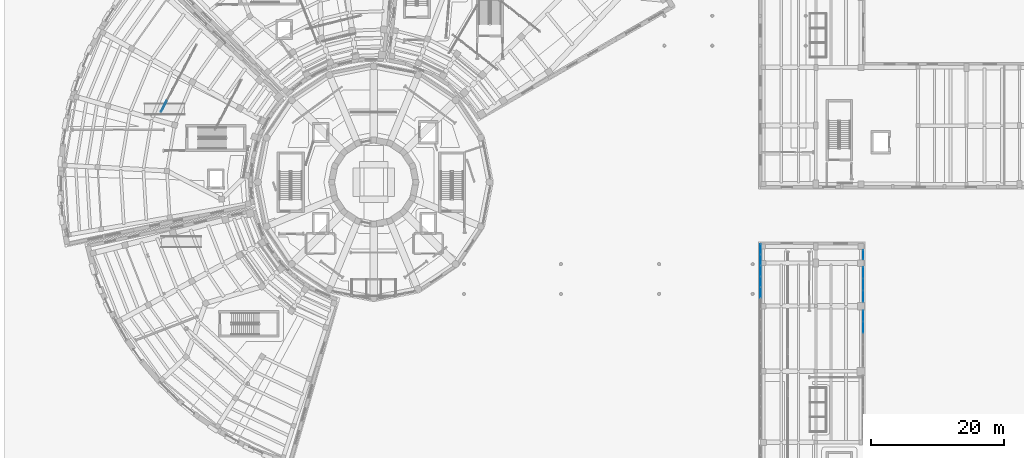
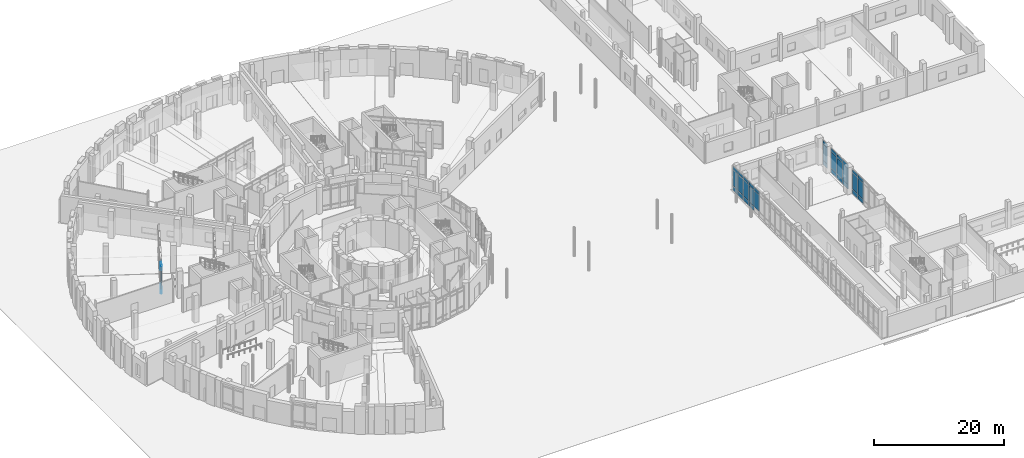
# One storey, part 36 of 74: 35 plates, 5 elements without a shape of their own.
"""IFC4 building model written with IfcOpenShell, lengths in metres."""

from ifc_helpers import new_model, si_unit, direction, frame, origin, origin_2d, place, context, subcontext, project, spatial, rectangle, extrude, material, layer, layer_set, type_object, element, aggregate, save


model = new_model("IFC4")

# Units and contexts
model_context = context("Model", 3, precision=1e-05, world=origin(), true_north=direction((0.0, 1.0)))
body_context = subcontext(model_context, "Body", "Model", "MODEL_VIEW")
ifc_project = project(units=[si_unit("LENGTHUNIT", "METRE"), si_unit("AREAUNIT", "SQUARE_METRE"), si_unit("VOLUMEUNIT", "CUBIC_METRE"), si_unit("PLANEANGLEUNIT", "RADIAN"), si_unit("MASSUNIT", "GRAM", prefix="KILO")], contexts=[model_context])

# Site, building, storey
site_placement = place(None, origin())
site = spatial("IfcSite", under=ifc_project, at=site_placement, CompositionType="ELEMENT")
building_placement = place(site_placement, origin())
building = spatial("IfcBuilding", under=site, at=building_placement, Name="Soyqirgoq Riverine Aquarium", CompositionType="ELEMENT")
storey_placement = place(building_placement, origin())
storey = spatial("IfcBuildingStorey", under=building, at=storey_placement, Name="L01", CompositionType="ELEMENT", Elevation=0.0)

# Curtain wall, plates
ifc_material_1 = material(Name="Cast polymethyl methacrylate PMMA Habitat Viewing Glazing", Category="glass")
curtain_wall_type_1 = type_object("IfcCurtainWallType", Name="CW_Interior_TankVitrine", PredefinedType="NOTDEFINED", material=ifc_material_1)
curtain_wall_1_placement = place(storey_placement, origin())
curtain_wall_1 = element("IfcCurtainWall", 1, at=curtain_wall_1_placement, inside=storey, type_object=curtain_wall_type_1, Name="V3 L01 Curtain Wall 148", PredefinedType="NOTDEFINED")
ifc_material_2 = material(Name="Cast polymethyl methacrylate PMMA", Category="glass")
ifc_layer_1 = layer(ifc_material_2, 0.1201171875)
ifc_layer_set_1 = layer_set([ifc_layer_1], Name="Cast polymethyl methacrylate PMMA")
plate_type_1 = type_object("IfcPlateType", Name="CWAcrylicPanel_120", PredefinedType="CURTAIN_PANEL", material=ifc_layer_set_1)
plate_1_placement = place(storey_placement, frame((24.362060546875, 68.399658203125, 0.074951171875), z_axis=(0.0, 0.0, 1.0), x_axis=(-0.46947455655, -0.88294600104, 0.0)))
plate_1 = element("IfcPlate", 2, at=plate_1_placement, type_object=plate_type_1, Name="CW-07 panel 6.1", PredefinedType="CURTAIN_PANEL", context=body_context, shape_type="SweptSolid", body=[
    extrude(rectangle(XDim=1.80322265625, YDim=0.1201171875, at=origin_2d()), origin(), (0.0, 0.0, 1.0), 0.78759765625),
])
plate_2_placement = place(storey_placement, frame((24.362060546875, 68.399658203125, 0.9375), z_axis=(0.0, 0.0, 1.0), x_axis=(-0.46947455655, -0.88294600104, 0.0)))
plate_2 = element("IfcPlate", 3, at=plate_2_placement, type_object=plate_type_1, Name="CW-07 panel 6.2", PredefinedType="CURTAIN_PANEL", context=body_context, shape_type="SweptSolid", body=[
    extrude(rectangle(XDim=1.80322265625, YDim=0.1201171875, at=origin_2d()), origin(), (0.0, 0.0, 1.0), 3.425048828125),
])
plate_3_placement = place(storey_placement, frame((24.362060546875, 68.399658203125, 4.4375), z_axis=(0.0, 0.0, 1.0), x_axis=(-0.46947455655, -0.88294600104, 0.0)))
plate_3 = element("IfcPlate", 4, at=plate_3_placement, type_object=plate_type_1, Name="CW-07 panel 6.3", PredefinedType="CURTAIN_PANEL", context=body_context, shape_type="SweptSolid", body=[
    extrude(rectangle(XDim=1.80322265625, YDim=0.1201171875, at=origin_2d()), origin(), (0.0, 0.0, 1.0), 0.58740234375),
])
aggregate(curtain_wall_1, [plate_1, plate_2, plate_3])

ifc_material_3 = material(Name="Structural silicone glazed entrance curtain wall", Category="aluminium")
curtain_wall_type_2 = type_object("IfcCurtainWallType", Name="CW_Portal_Entrance", PredefinedType="NOTDEFINED", material=ifc_material_3)
curtain_wall_2_placement = place(storey_placement, origin())
curtain_wall_2 = element("IfcCurtainWall", 5, at=curtain_wall_2_placement, inside=storey, type_object=curtain_wall_type_2, Name="V6 L01 Curtain Wall 106", PredefinedType="NOTDEFINED")
ifc_material_4 = material(Name="Triple insulated laminated low-E glass", Category="glass")
ifc_layer_2 = layer(ifc_material_4, 0.0458984375)
ifc_layer_set_2 = layer_set([ifc_layer_2], Name="Triple insulated laminated low-E glass")
plate_type_2 = type_object("IfcPlateType", Name="CWGlazedPanel_46", PredefinedType="CURTAIN_PANEL", material=ifc_layer_set_2)
plate_4_placement = place(storey_placement, frame((114.25, 40.35009765625, 0.9375), z_axis=(0.0, 0.0, 1.0), x_axis=(0.0, 1.0, 0.0)))
plate_4 = element("IfcPlate", 6, at=plate_4_placement, type_object=plate_type_2, Name="CW-04 panel 14.2", PredefinedType="CURTAIN_PANEL", context=body_context, shape_type="SweptSolid", body=[
    extrude(rectangle(XDim=1.5556640625, YDim=0.0458984375, at=origin_2d()), origin(), (0.0, 0.0, 1.0), 3.02490234375),
])
plate_5_placement = place(storey_placement, frame((114.25, 40.35009765625, 4.03759765625), z_axis=(0.0, 0.0, 1.0), x_axis=(0.0, 1.0, 0.0)))
plate_5 = element("IfcPlate", 7, at=plate_5_placement, type_object=plate_type_2, Name="CW-04 panel 14.3", PredefinedType="CURTAIN_PANEL", context=body_context, shape_type="SweptSolid", body=[
    extrude(rectangle(XDim=1.5556640625, YDim=0.0458984375, at=origin_2d()), origin(), (0.0, 0.0, 1.0), 0.58740234375),
])
plate_6_placement = place(storey_placement, frame((114.25, 41.985595703125, 0.074951171875), z_axis=(0.0, 0.0, 1.0), x_axis=(0.0, 1.0, 0.0)))
plate_6 = element("IfcPlate", 8, at=plate_6_placement, type_object=plate_type_2, Name="CW-04 panel 15.1", PredefinedType="CURTAIN_PANEL", context=body_context, shape_type="SweptSolid", body=[
    extrude(rectangle(XDim=1.5556640625, YDim=0.0458984375, at=origin_2d()), origin(), (0.0, 0.0, 1.0), 0.78759765625),
])
plate_7_placement = place(storey_placement, frame((114.25, 41.985595703125, 0.9375), z_axis=(0.0, 0.0, 1.0), x_axis=(0.0, 1.0, 0.0)))
plate_7 = element("IfcPlate", 9, at=plate_7_placement, type_object=plate_type_2, Name="CW-04 panel 15.2", PredefinedType="CURTAIN_PANEL", context=body_context, shape_type="SweptSolid", body=[
    extrude(rectangle(XDim=1.5556640625, YDim=0.0458984375, at=origin_2d()), origin(), (0.0, 0.0, 1.0), 3.02490234375),
])
plate_8_placement = place(storey_placement, frame((114.25, 41.985595703125, 4.03759765625), z_axis=(0.0, 0.0, 1.0), x_axis=(0.0, 1.0, 0.0)))
plate_8 = element("IfcPlate", 10, at=plate_8_placement, type_object=plate_type_2, Name="CW-04 panel 15.3", PredefinedType="CURTAIN_PANEL", context=body_context, shape_type="SweptSolid", body=[
    extrude(rectangle(XDim=1.5556640625, YDim=0.0458984375, at=origin_2d()), origin(), (0.0, 0.0, 1.0), 0.58740234375),
])
plate_9_placement = place(storey_placement, frame((114.25, 43.62109375, 0.074951171875), z_axis=(0.0, 0.0, 1.0), x_axis=(0.0, 1.0, 0.0)))
plate_9 = element("IfcPlate", 11, at=plate_9_placement, type_object=plate_type_2, Name="CW-04 panel 16.1", PredefinedType="CURTAIN_PANEL", context=body_context, shape_type="SweptSolid", body=[
    extrude(rectangle(XDim=1.5556640625, YDim=0.0458984375, at=origin_2d()), origin(), (0.0, 0.0, 1.0), 0.78759765625),
])
plate_10_placement = place(storey_placement, frame((114.25, 43.62109375, 0.9375), z_axis=(0.0, 0.0, 1.0), x_axis=(0.0, 1.0, 0.0)))
plate_10 = element("IfcPlate", 12, at=plate_10_placement, type_object=plate_type_2, Name="CW-04 panel 16.2", PredefinedType="CURTAIN_PANEL", context=body_context, shape_type="SweptSolid", body=[
    extrude(rectangle(XDim=1.5556640625, YDim=0.0458984375, at=origin_2d()), origin(), (0.0, 0.0, 1.0), 3.02490234375),
])
plate_11_placement = place(storey_placement, frame((114.25, 43.62109375, 4.03759765625), z_axis=(0.0, 0.0, 1.0), x_axis=(0.0, 1.0, 0.0)))
plate_11 = element("IfcPlate", 13, at=plate_11_placement, type_object=plate_type_2, Name="CW-04 panel 16.3", PredefinedType="CURTAIN_PANEL", context=body_context, shape_type="SweptSolid", body=[
    extrude(rectangle(XDim=1.5556640625, YDim=0.0458984375, at=origin_2d()), origin(), (0.0, 0.0, 1.0), 0.58740234375),
])
plate_12_placement = place(storey_placement, frame((114.25, 45.256591796875, 0.074951171875), z_axis=(0.0, 0.0, 1.0), x_axis=(0.0, 1.0, 0.0)))
plate_12 = element("IfcPlate", 14, at=plate_12_placement, type_object=plate_type_2, Name="CW-04 panel 17.1", PredefinedType="CURTAIN_PANEL", context=body_context, shape_type="SweptSolid", body=[
    extrude(rectangle(XDim=1.5556640625, YDim=0.0458984375, at=origin_2d()), origin(), (0.0, 0.0, 1.0), 0.78759765625),
])
plate_13_placement = place(storey_placement, frame((114.25, 45.256591796875, 0.9375), z_axis=(0.0, 0.0, 1.0), x_axis=(0.0, 1.0, 0.0)))
plate_13 = element("IfcPlate", 15, at=plate_13_placement, type_object=plate_type_2, Name="CW-04 panel 17.2", PredefinedType="CURTAIN_PANEL", context=body_context, shape_type="SweptSolid", body=[
    extrude(rectangle(XDim=1.5556640625, YDim=0.0458984375, at=origin_2d()), origin(), (0.0, 0.0, 1.0), 3.02490234375),
])
plate_14_placement = place(storey_placement, frame((114.25, 45.256591796875, 4.03759765625), z_axis=(0.0, 0.0, 1.0), x_axis=(0.0, 1.0, 0.0)))
plate_14 = element("IfcPlate", 16, at=plate_14_placement, type_object=plate_type_2, Name="CW-04 panel 17.3", PredefinedType="CURTAIN_PANEL", context=body_context, shape_type="SweptSolid", body=[
    extrude(rectangle(XDim=1.5556640625, YDim=0.0458984375, at=origin_2d()), origin(), (0.0, 0.0, 1.0), 0.58740234375),
])
plate_15_placement = place(storey_placement, frame((114.25, 46.872314453125, 0.074951171875), z_axis=(0.0, 0.0, 1.0), x_axis=(0.0, 1.0, 0.0)))
plate_15 = element("IfcPlate", 17, at=plate_15_placement, type_object=plate_type_2, Name="CW-04 panel 18.1", PredefinedType="CURTAIN_PANEL", context=body_context, shape_type="SweptSolid", body=[
    extrude(rectangle(XDim=1.515625, YDim=0.0458984375, at=origin_2d()), origin(), (0.0, 0.0, 1.0), 0.78759765625),
])
plate_16_placement = place(storey_placement, frame((114.25, 46.872314453125, 0.9375), z_axis=(0.0, 0.0, 1.0), x_axis=(0.0, 1.0, 0.0)))
plate_16 = element("IfcPlate", 18, at=plate_16_placement, type_object=plate_type_2, Name="CW-04 panel 18.2", PredefinedType="CURTAIN_PANEL", context=body_context, shape_type="SweptSolid", body=[
    extrude(rectangle(XDim=1.515625, YDim=0.0458984375, at=origin_2d()), origin(), (0.0, 0.0, 1.0), 3.02490234375),
])
plate_17_placement = place(storey_placement, frame((114.25, 46.872314453125, 4.03759765625), z_axis=(0.0, 0.0, 1.0), x_axis=(0.0, 1.0, 0.0)))
plate_17 = element("IfcPlate", 19, at=plate_17_placement, type_object=plate_type_2, Name="CW-04 panel 18.3", PredefinedType="CURTAIN_PANEL", context=body_context, shape_type="SweptSolid", body=[
    extrude(rectangle(XDim=1.515625, YDim=0.0458984375, at=origin_2d()), origin(), (0.0, 0.0, 1.0), 0.58740234375),
])
aggregate(curtain_wall_2, [plate_4, plate_5, plate_6, plate_7, plate_8, plate_9, plate_10, plate_11, plate_12, plate_13, plate_14, plate_15, plate_16, plate_17])

curtain_wall_3_placement = place(storey_placement, origin())
curtain_wall_3 = element("IfcCurtainWall", 20, at=curtain_wall_3_placement, inside=storey, type_object=curtain_wall_type_2, Name="V6 L01 Curtain Wall 107", PredefinedType="NOTDEFINED")
plate_18_placement = place(storey_placement, frame((129.75, 46.0625, 0.074951171875), z_axis=(0.0, 0.0, 1.0), x_axis=(0.0, -1.0, 0.0)))
plate_18 = element("IfcPlate", 21, at=plate_18_placement, type_object=plate_type_2, Name="CW-04 panel 1.1", PredefinedType="CURTAIN_PANEL", context=body_context, shape_type="SweptSolid", body=[
    extrude(rectangle(XDim=1.324951171875, YDim=0.0458984375, at=origin_2d()), origin(), (0.0, 0.0, 1.0), 0.78759765625),
])
plate_19_placement = place(storey_placement, frame((129.75, 46.0625, 0.9375), z_axis=(0.0, 0.0, 1.0), x_axis=(0.0, -1.0, 0.0)))
plate_19 = element("IfcPlate", 22, at=plate_19_placement, type_object=plate_type_2, Name="CW-04 panel 1.2", PredefinedType="CURTAIN_PANEL", context=body_context, shape_type="SweptSolid", body=[
    extrude(rectangle(XDim=1.324951171875, YDim=0.0458984375, at=origin_2d()), origin(), (0.0, 0.0, 1.0), 3.02490234375),
])
plate_20_placement = place(storey_placement, frame((129.75, 46.0625, 4.03759765625), z_axis=(0.0, 0.0, 1.0), x_axis=(0.0, -1.0, 0.0)))
plate_20 = element("IfcPlate", 23, at=plate_20_placement, type_object=plate_type_2, Name="CW-04 panel 1.3", PredefinedType="CURTAIN_PANEL", context=body_context, shape_type="SweptSolid", body=[
    extrude(rectangle(XDim=1.324951171875, YDim=0.0458984375, at=origin_2d()), origin(), (0.0, 0.0, 1.0), 0.58740234375),
])
aggregate(curtain_wall_3, [plate_18, plate_19, plate_20])

curtain_wall_4_placement = place(storey_placement, origin())
curtain_wall_4 = element("IfcCurtainWall", 24, at=curtain_wall_4_placement, inside=storey, type_object=curtain_wall_type_2, Name="V6 L01 Curtain Wall 109", PredefinedType="NOTDEFINED")
plate_21_placement = place(storey_placement, frame((129.75, 36.84912109375, 0.074951171875), z_axis=(0.0, 0.0, 1.0), x_axis=(0.0, -1.0, 0.0)))
plate_21 = element("IfcPlate", 25, at=plate_21_placement, type_object=plate_type_2, Name="CW-04 panel 1.1", PredefinedType="CURTAIN_PANEL", context=body_context, shape_type="SweptSolid", body=[
    extrude(rectangle(XDim=1.60205078125, YDim=0.0458984375, at=origin_2d()), origin(), (0.0, 0.0, 1.0), 0.78759765625),
])
plate_22_placement = place(storey_placement, frame((129.75, 36.84912109375, 0.9375), z_axis=(0.0, 0.0, 1.0), x_axis=(0.0, -1.0, 0.0)))
plate_22 = element("IfcPlate", 26, at=plate_22_placement, type_object=plate_type_2, Name="CW-04 panel 1.2", PredefinedType="CURTAIN_PANEL", context=body_context, shape_type="SweptSolid", body=[
    extrude(rectangle(XDim=1.60205078125, YDim=0.0458984375, at=origin_2d()), origin(), (0.0, 0.0, 1.0), 3.02490234375),
])
plate_23_placement = place(storey_placement, frame((129.75, 36.84912109375, 4.03759765625), z_axis=(0.0, 0.0, 1.0), x_axis=(0.0, -1.0, 0.0)))
plate_23 = element("IfcPlate", 27, at=plate_23_placement, type_object=plate_type_2, Name="CW-04 panel 1.3", PredefinedType="CURTAIN_PANEL", context=body_context, shape_type="SweptSolid", body=[
    extrude(rectangle(XDim=1.60205078125, YDim=0.0458984375, at=origin_2d()), origin(), (0.0, 0.0, 1.0), 0.58740234375),
])
plate_24_placement = place(storey_placement, frame((129.75, 35.14697265625, 0.074951171875), z_axis=(0.0, 0.0, 1.0), x_axis=(0.0, -1.0, 0.0)))
plate_24 = element("IfcPlate", 28, at=plate_24_placement, type_object=plate_type_2, Name="CW-04 panel 2.1", PredefinedType="CURTAIN_PANEL", context=body_context, shape_type="SweptSolid", body=[
    extrude(rectangle(XDim=1.64208984375, YDim=0.0458984375, at=origin_2d()), origin(), (0.0, 0.0, 1.0), 0.78759765625),
])
plate_25_placement = place(storey_placement, frame((129.75, 35.14697265625, 0.9375), z_axis=(0.0, 0.0, 1.0), x_axis=(0.0, -1.0, 0.0)))
plate_25 = element("IfcPlate", 29, at=plate_25_placement, type_object=plate_type_2, Name="CW-04 panel 2.2", PredefinedType="CURTAIN_PANEL", context=body_context, shape_type="SweptSolid", body=[
    extrude(rectangle(XDim=1.64208984375, YDim=0.0458984375, at=origin_2d()), origin(), (0.0, 0.0, 1.0), 3.02490234375),
])
plate_26_placement = place(storey_placement, frame((129.75, 35.14697265625, 4.03759765625), z_axis=(0.0, 0.0, 1.0), x_axis=(0.0, -1.0, 0.0)))
plate_26 = element("IfcPlate", 30, at=plate_26_placement, type_object=plate_type_2, Name="CW-04 panel 2.3", PredefinedType="CURTAIN_PANEL", context=body_context, shape_type="SweptSolid", body=[
    extrude(rectangle(XDim=1.64208984375, YDim=0.0458984375, at=origin_2d()), origin(), (0.0, 0.0, 1.0), 0.58740234375),
])
aggregate(curtain_wall_4, [plate_21, plate_22, plate_23, plate_24, plate_25, plate_26])

curtain_wall_5_placement = place(storey_placement, origin())
curtain_wall_5 = element("IfcCurtainWall", 31, at=curtain_wall_5_placement, inside=storey, type_object=curtain_wall_type_2, Name="V6 L01 Curtain Wall 108", PredefinedType="NOTDEFINED")
ifc_material_5 = material(Name="Insulated shadow-box aluminium spandrel panel", Category="aluminium")
ifc_layer_3 = layer(ifc_material_5, 0.06005859375)
ifc_layer_set_3 = layer_set([ifc_layer_3], Name="Insulated shadow-box aluminium spandrel panel")
plate_type_3 = type_object("IfcPlateType", Name="CWSpandrelPanel_60", PredefinedType="CURTAIN_PANEL", material=ifc_layer_set_3)
plate_27_placement = place(storey_placement, frame((129.75, 43.3583984375, 0.074951171875), z_axis=(0.0, 0.0, 1.0), x_axis=(0.0, -1.0, 0.0)))
plate_27 = element("IfcPlate", 32, at=plate_27_placement, type_object=plate_type_3, Name="CW-04 panel 1.1", PredefinedType="CURTAIN_PANEL", context=body_context, shape_type="SweptSolid", body=[
    extrude(rectangle(XDim=1.683349609375, YDim=0.06005859375, at=origin_2d()), origin(), (0.0, 0.0, 1.0), 0.78759765625),
])
plate_28_placement = place(storey_placement, frame((129.75, 43.3583984375, 0.9375), z_axis=(0.0, 0.0, 1.0), x_axis=(0.0, -1.0, 0.0)))
plate_28 = element("IfcPlate", 33, at=plate_28_placement, type_object=plate_type_3, Name="CW-04 panel 1.2", PredefinedType="CURTAIN_PANEL", context=body_context, shape_type="SweptSolid", body=[
    extrude(rectangle(XDim=1.683349609375, YDim=0.06005859375, at=origin_2d()), origin(), (0.0, 0.0, 1.0), 3.02490234375),
])
plate_29_placement = place(storey_placement, frame((129.75, 43.3583984375, 4.03759765625), z_axis=(0.0, 0.0, 1.0), x_axis=(0.0, -1.0, 0.0)))
plate_29 = element("IfcPlate", 34, at=plate_29_placement, type_object=plate_type_3, Name="CW-04 panel 1.3", PredefinedType="CURTAIN_PANEL", context=body_context, shape_type="SweptSolid", body=[
    extrude(rectangle(XDim=1.683349609375, YDim=0.06005859375, at=origin_2d()), origin(), (0.0, 0.0, 1.0), 0.58740234375),
])
plate_30_placement = place(storey_placement, frame((129.75, 41.574951171875, 0.074951171875), z_axis=(0.0, 0.0, 1.0), x_axis=(0.0, -1.0, 0.0)))
plate_30 = element("IfcPlate", 35, at=plate_30_placement, type_object=plate_type_3, Name="CW-04 panel 2.1", PredefinedType="CURTAIN_PANEL", context=body_context, shape_type="SweptSolid", body=[
    extrude(rectangle(XDim=1.723388671875, YDim=0.06005859375, at=origin_2d()), origin(), (0.0, 0.0, 1.0), 0.78759765625),
])
plate_31_placement = place(storey_placement, frame((129.75, 41.574951171875, 0.9375), z_axis=(0.0, 0.0, 1.0), x_axis=(0.0, -1.0, 0.0)))
plate_31 = element("IfcPlate", 36, at=plate_31_placement, type_object=plate_type_3, Name="CW-04 panel 2.2", PredefinedType="CURTAIN_PANEL", context=body_context, shape_type="SweptSolid", body=[
    extrude(rectangle(XDim=1.723388671875, YDim=0.06005859375, at=origin_2d()), origin(), (0.0, 0.0, 1.0), 3.02490234375),
])
plate_32_placement = place(storey_placement, frame((129.75, 41.574951171875, 4.03759765625), z_axis=(0.0, 0.0, 1.0), x_axis=(0.0, -1.0, 0.0)))
plate_32 = element("IfcPlate", 37, at=plate_32_placement, type_object=plate_type_3, Name="CW-04 panel 2.3", PredefinedType="CURTAIN_PANEL", context=body_context, shape_type="SweptSolid", body=[
    extrude(rectangle(XDim=1.723388671875, YDim=0.06005859375, at=origin_2d()), origin(), (0.0, 0.0, 1.0), 0.58740234375),
])
plate_33_placement = place(storey_placement, frame((129.75, 39.791748046875, 0.074951171875), z_axis=(0.0, 0.0, 1.0), x_axis=(0.0, -1.0, 0.0)))
plate_33 = element("IfcPlate", 38, at=plate_33_placement, type_object=plate_type_3, Name="CW-04 panel 3.1", PredefinedType="CURTAIN_PANEL", context=body_context, shape_type="SweptSolid", body=[
    extrude(rectangle(XDim=1.683349609375, YDim=0.06005859375, at=origin_2d()), origin(), (0.0, 0.0, 1.0), 0.78759765625),
])
plate_34_placement = place(storey_placement, frame((129.75, 39.791748046875, 0.9375), z_axis=(0.0, 0.0, 1.0), x_axis=(0.0, -1.0, 0.0)))
plate_34 = element("IfcPlate", 39, at=plate_34_placement, type_object=plate_type_3, Name="CW-04 panel 3.2", PredefinedType="CURTAIN_PANEL", context=body_context, shape_type="SweptSolid", body=[
    extrude(rectangle(XDim=1.683349609375, YDim=0.06005859375, at=origin_2d()), origin(), (0.0, 0.0, 1.0), 3.02490234375),
])
plate_35_placement = place(storey_placement, frame((129.75, 39.791748046875, 4.03759765625), z_axis=(0.0, 0.0, 1.0), x_axis=(0.0, -1.0, 0.0)))
plate_35 = element("IfcPlate", 40, at=plate_35_placement, type_object=plate_type_3, Name="CW-04 panel 3.3", PredefinedType="CURTAIN_PANEL", context=body_context, shape_type="SweptSolid", body=[
    extrude(rectangle(XDim=1.683349609375, YDim=0.06005859375, at=origin_2d()), origin(), (0.0, 0.0, 1.0), 0.58740234375),
])
aggregate(curtain_wall_5, [plate_27, plate_28, plate_29, plate_30, plate_31, plate_32, plate_33, plate_34, plate_35])

save(model, "model.ifc")
